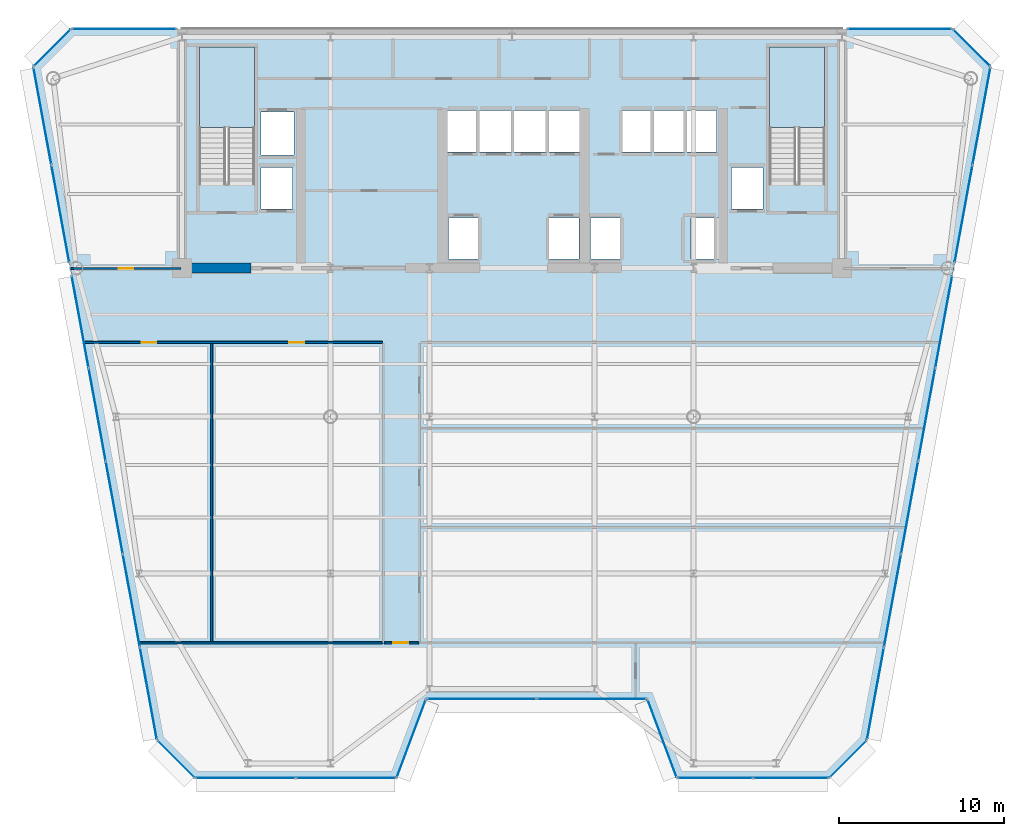
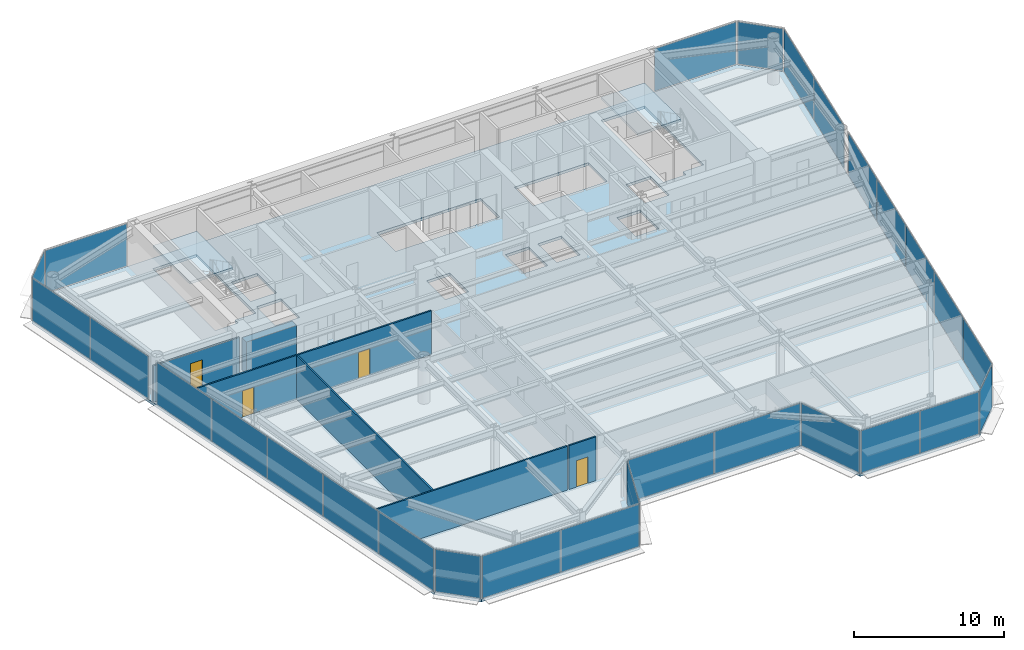
# One storey, part 9 of 16: 28 plates, 6 walls, 4 doors, 3 slabs, 4 openings, 17 elements without a shape of their own.
"""IFC4 building model written with IfcOpenShell, lengths in metres."""

from ifc_helpers import new_model, si_unit, direction, frame, frame_2d, origin, origin_2d, place, context, subcontext, project, spatial, polyline, rectangle, outline, extrude, source, transform, mapped, material, layer, layer_set, type_object, element, fill, aggregate, save


model = new_model("IFC4")

# Units and contexts
model_context = context("Model", 3, precision=1e-05, world=origin(), true_north=direction((0.0, 1.0)))
body_context = subcontext(model_context, "Body", "Model", "MODEL_VIEW")
ifc_project = project(units=[si_unit("LENGTHUNIT", "METRE"), si_unit("AREAUNIT", "SQUARE_METRE"), si_unit("VOLUMEUNIT", "CUBIC_METRE"), si_unit("PLANEANGLEUNIT", "RADIAN"), si_unit("MASSUNIT", "GRAM", prefix="KILO")], contexts=[model_context])

# Site, building, storey
site_placement = place(None, origin())
site = spatial("IfcSite", under=ifc_project, at=site_placement, CompositionType="ELEMENT")
building_placement = place(site_placement, origin())
building = spatial("IfcBuilding", under=site, at=building_placement, Name="Vaeldorn Concourse Tower", CompositionType="ELEMENT")
storey_placement = place(building_placement, frame((0.0, 0.0, 195.60009765625)))
storey = spatial("IfcBuildingStorey", under=building, at=storey_placement, Name="L50", CompositionType="ELEMENT", Elevation=195.60009765625)

# Stair, slab
ifc_material_1 = material(Name="Precast concrete C40/50", Category="concrete")
stair_type = type_object("IfcStairType", Name="STR-DOG-24x158", PredefinedType="HALF_TURN_STAIR", material=ifc_material_1)
stair_1_placement = place(storey_placement, origin())
stair_1 = element("IfcStair", 1, at=stair_1_placement, inside=storey, type_object=stair_type, Name="L50 West Core Exit Stair ST-1", PredefinedType="HALF_TURN_STAIR")
ifc_material_2 = material(Name="Concrete C40/50", Category="concrete")
ifc_layer_1 = layer(ifc_material_2, 0.199951171875)
ifc_layer_set_1 = layer_set([ifc_layer_1], Name="Concrete C40/50")
slab_type_1 = type_object("IfcSlabType", Name="SL-STAIR-LANDING", PredefinedType="LANDING", material=ifc_layer_set_1)
slab_1_placement = place(storey_placement, frame((0.0, 0.0, 1.699951171875)))
slab_1 = element("IfcSlab", 2, at=slab_1_placement, type_object=slab_type_1, Name="ST-1 landing 1", PredefinedType="LANDING", context=body_context, shape_type="SweptSolid", body=[
    extrude(outline(polyline([(18.39990234375, 45.010009765625), (18.39990234375, 49.89990234375), (15.050048828125, 49.89990234375), (15.050048828125, 45.010009765625), (18.39990234375, 45.010009765625)])), origin(), (0.0, 0.0, 1.0), 0.199951171875),
])
aggregate(stair_1, [slab_1])

stair_2_placement = place(storey_placement, origin())
stair_2 = element("IfcStair", 3, at=stair_2_placement, inside=storey, type_object=stair_type, Name="L50 East Core Exit Stair ST-2", PredefinedType="HALF_TURN_STAIR")
slab_2_placement = place(storey_placement, frame((0.0, 0.0, 1.699951171875)))
slab_2 = element("IfcSlab", 4, at=slab_2_placement, type_object=slab_type_1, Name="ST-2 landing 1", PredefinedType="LANDING", context=body_context, shape_type="SweptSolid", body=[
    extrude(outline(polyline([(52.949951171875, 45.010009765625), (52.949951171875, 49.89990234375), (49.60009765625, 49.89990234375), (49.60009765625, 45.010009765625), (52.949951171875, 45.010009765625)])), origin(), (0.0, 0.0, 1.0), 0.199951171875),
])
aggregate(stair_2, [slab_2])

# Slab
ifc_layer_2 = layer(ifc_material_2, 0.219970703125)
ifc_layer_set_2 = layer_set([ifc_layer_2], Name="Concrete C40/50")
slab_type_2 = type_object("IfcSlabType", Name="SL-TYP-220", PredefinedType="FLOOR", material=ifc_layer_set_2)
slab_3_placement = place(storey_placement, frame((0.0, 0.0, -0.22021484375)))
element("IfcSlab", 5, at=slab_3_placement, inside=storey, type_object=slab_type_2, Name="Structural Floor Slab L50", PredefinedType="FLOOR", context=body_context, shape_type="SweptSolid", body=[
    extrude(outline(polyline([(14.791015625, 5.60009765625), (27.0, 5.60009765625), (28.800048828125, 10.39990234375), (42.199951171875, 10.39990234375), (44.0, 5.60009765625), (53.208984375, 5.60009765625), (55.509033203125, 7.89990234375), (63.0, 48.699951171875), (60.699951171875, 51.0), (7.300048828125, 51.0), (5.0, 48.699951171875), (12.490966796875, 7.89990234375), (14.791015625, 5.60009765625)]), holes=[polyline([(18.39990234375, 42.0), (18.39990234375, 49.89990234375), (15.050048828125, 49.89990234375), (15.050048828125, 41.60009765625), (16.800048828125, 41.60009765625), (16.800048828125, 42.0), (18.39990234375, 42.0)]), polyline([(52.949951171875, 42.0), (52.949951171875, 49.89990234375), (49.60009765625, 49.89990234375), (49.60009765625, 41.60009765625), (51.35009765625, 41.60009765625), (51.35009765625, 42.0), (52.949951171875, 42.0)]), polyline([(30.14990234375, 37.050048828125), (31.949951171875, 37.050048828125), (31.949951171875, 39.550048828125), (30.14990234375, 39.550048828125), (30.14990234375, 37.050048828125)]), polyline([(36.25, 37.050048828125), (38.050048828125, 37.050048828125), (38.050048828125, 39.550048828125), (36.25, 39.550048828125), (36.25, 37.050048828125)]), polyline([(30.10009765625, 43.550048828125), (38.10009765625, 43.550048828125), (38.10009765625, 46.050048828125), (30.10009765625, 46.050048828125), (30.10009765625, 43.550048828125)]), polyline([(38.75, 37.050048828125), (40.550048828125, 37.050048828125), (40.550048828125, 39.550048828125), (38.75, 39.550048828125), (38.75, 37.050048828125)]), polyline([(44.85009765625, 37.050048828125), (46.64990234375, 37.050048828125), (46.64990234375, 39.550048828125), (44.85009765625, 39.550048828125), (44.85009765625, 37.050048828125)]), polyline([(40.699951171875, 43.550048828125), (46.39990234375, 43.550048828125), (46.39990234375, 46.050048828125), (40.699951171875, 46.050048828125), (40.699951171875, 43.550048828125)]), polyline([(18.800048828125, 43.35009765625), (20.800048828125, 43.35009765625), (20.800048828125, 45.949951171875), (18.800048828125, 45.949951171875), (18.800048828125, 43.35009765625)]), polyline([(18.800048828125, 40.10009765625), (20.699951171875, 40.10009765625), (20.699951171875, 42.60009765625), (18.800048828125, 42.60009765625), (18.800048828125, 40.10009765625)]), polyline([(47.300048828125, 40.10009765625), (49.199951171875, 40.10009765625), (49.199951171875, 42.60009765625), (47.300048828125, 42.60009765625), (47.300048828125, 40.10009765625)])]), origin(), (0.0, 0.0, 1.0), 0.22021484375),
])

# Curtain wall, plate
ifc_material_3 = material(Name="Anodised Bronze Aluminium", Category="aluminium")
ifc_layer_3 = layer(ifc_material_3, 0.18994140625)
ifc_layer_set_3 = layer_set([ifc_layer_3], Name="Anodised Bronze Aluminium")
curtain_wall_type = type_object("IfcCurtainWallType", Name="CW-SYS-03", PredefinedType="NOTDEFINED", material=ifc_layer_set_3)
curtain_wall_1_placement = place(storey_placement, origin())
curtain_wall_1 = element("IfcCurtainWall", 6, at=curtain_wall_1_placement, inside=storey, type_object=curtain_wall_type, Name="Unitised Curtain Wall CW-L50-E02-1", PredefinedType="NOTDEFINED")
ifc_material_4 = material(Name="Bronze Tinted Low-E Insulated Glass", Category="glass")
ifc_layer_4 = layer(ifc_material_4, 0.031982421875)
ifc_layer_set_4 = layer_set([ifc_layer_4], Name="Bronze Tinted Low-E Insulated Glass")
plate_type = type_object("IfcPlateType", Name="CWP-VISION-32", PredefinedType="CURTAIN_PANEL", material=ifc_layer_set_4)
shared_shape_1 = source(origin(), body_context, "Body", "SweptSolid", [
    extrude(rectangle(XDim=4.996337890625, YDim=0.031982421875, at=origin_2d()), origin(), (0.0, 0.0, 1.0), 3.449951171875),
])
plate_1_placement = place(storey_placement, frame((27.89990234375, 8.0, 0.06494140625), z_axis=(0.0, 0.0, 1.0), x_axis=(0.351123441595, 0.936329177566, 0.0)))
plate_1 = element("IfcPlate", 7, at=plate_1_placement, type_object=plate_type, Name="CW-03 panel 1.1", PredefinedType="CURTAIN_PANEL", context=body_context, shape_type="MappedRepresentation", body=[
    mapped(shared_shape_1, transform((0.0, 0.0, 0.0), scale=1.0)),
])
aggregate(curtain_wall_1, [plate_1])

curtain_wall_2_placement = place(storey_placement, origin())
curtain_wall_2 = element("IfcCurtainWall", 8, at=curtain_wall_2_placement, inside=storey, type_object=curtain_wall_type, Name="Unitised Curtain Wall CW-L50-E04-1", PredefinedType="NOTDEFINED")
plate_2_placement = place(storey_placement, frame((43.10009765625, 8.0, 0.06494140625), z_axis=(0.0, 0.0, 1.0), x_axis=(0.351123441595, -0.936329177566, 0.0)))
plate_2 = element("IfcPlate", 9, at=plate_2_placement, type_object=plate_type, Name="CW-03 panel 1.1", PredefinedType="CURTAIN_PANEL", context=body_context, shape_type="MappedRepresentation", body=[
    mapped(shared_shape_1, transform((0.0, 0.0, 0.0), scale=1.0)),
])
aggregate(curtain_wall_2, [plate_2])

# Curtain wall, plates
curtain_wall_3_placement = place(storey_placement, origin())
curtain_wall_3 = element("IfcCurtainWall", 10, at=curtain_wall_3_placement, inside=storey, type_object=curtain_wall_type, Name="Unitised Curtain Wall CW-L50-E03-1", PredefinedType="NOTDEFINED")
shared_shape_2 = source(origin(), body_context, "Body", "SweptSolid", [
    extrude(rectangle(XDim=6.6025390625, YDim=0.031982421875, at=origin_2d()), origin(), (0.0, 0.0, 1.0), 3.449951171875),
])
plate_3_placement = place(storey_placement, frame((32.166259765625, 10.39990234375, 0.06494140625), z_axis=(0.0, 0.0, 1.0), x_axis=(1.0, 0.0, 0.0)))
plate_3 = element("IfcPlate", 11, at=plate_3_placement, type_object=plate_type, Name="CW-03 panel 1.1", PredefinedType="CURTAIN_PANEL", context=body_context, shape_type="MappedRepresentation", body=[
    mapped(shared_shape_2, transform((0.0, 0.0, 0.0), scale=1.0)),
])
plate_4_placement = place(storey_placement, frame((38.833740234375, 10.39990234375, 0.06494140625), z_axis=(0.0, 0.0, 1.0), x_axis=(1.0, 0.0, 0.0)))
plate_4 = element("IfcPlate", 12, at=plate_4_placement, type_object=plate_type, Name="CW-03 panel 2.1", PredefinedType="CURTAIN_PANEL", context=body_context, shape_type="MappedRepresentation", body=[
    mapped(shared_shape_2, transform((0.0, 0.0, 0.0), scale=1.0)),
])
aggregate(curtain_wall_3, [plate_3, plate_4])

# Curtain wall, plate
curtain_wall_4_placement = place(storey_placement, origin())
curtain_wall_4 = element("IfcCurtainWall", 13, at=curtain_wall_4_placement, inside=storey, type_object=curtain_wall_type, Name="Unitised Curtain Wall CW-L50-E06-1", PredefinedType="NOTDEFINED")
shared_shape_3 = source(origin(), body_context, "Body", "SweptSolid", [
    extrude(rectangle(XDim=3.122802734375, YDim=0.031982421875, at=origin_2d()), origin(), (0.0, 0.0, 1.0), 3.449951171875),
])
plate_5_placement = place(storey_placement, frame((54.35888671875, 6.75, 0.06494140625), z_axis=(0.0, 0.0, 1.0), x_axis=(0.707106781187, 0.707106781187, 0.0)))
plate_5 = element("IfcPlate", 14, at=plate_5_placement, type_object=plate_type, Name="CW-03 panel 1.1", PredefinedType="CURTAIN_PANEL", context=body_context, shape_type="MappedRepresentation", body=[
    mapped(shared_shape_3, transform((0.0, 0.0, 0.0), scale=1.0)),
])
aggregate(curtain_wall_4, [plate_5])

curtain_wall_5_placement = place(storey_placement, origin())
curtain_wall_5 = element("IfcCurtainWall", 15, at=curtain_wall_5_placement, inside=storey, type_object=curtain_wall_type, Name="Unitised Curtain Wall CW-L50-E08-1", PredefinedType="NOTDEFINED")
plate_6_placement = place(storey_placement, frame((61.85009765625, 49.85009765625, 0.06494140625), z_axis=(0.0, 0.0, 1.0), x_axis=(-0.707106781187, 0.707106781187, 0.0)))
plate_6 = element("IfcPlate", 16, at=plate_6_placement, type_object=plate_type, Name="CW-03 panel 1.1", PredefinedType="CURTAIN_PANEL", context=body_context, shape_type="MappedRepresentation", body=[
    mapped(shared_shape_3, transform((0.0, 0.0, 0.0), scale=1.0)),
])
aggregate(curtain_wall_5, [plate_6])

curtain_wall_6_placement = place(storey_placement, origin())
curtain_wall_6 = element("IfcCurtainWall", 17, at=curtain_wall_6_placement, inside=storey, type_object=curtain_wall_type, Name="Unitised Curtain Wall CW-L50-E10-1", PredefinedType="NOTDEFINED")
plate_7_placement = place(storey_placement, frame((6.14990234375, 49.85009765625, 0.06494140625), z_axis=(0.0, 0.0, 1.0), x_axis=(-0.707106781187, -0.707106781187, 0.0)))
plate_7 = element("IfcPlate", 18, at=plate_7_placement, type_object=plate_type, Name="CW-03 panel 1.1", PredefinedType="CURTAIN_PANEL", context=body_context, shape_type="MappedRepresentation", body=[
    mapped(shared_shape_3, transform((0.0, 0.0, 0.0), scale=1.0)),
])
aggregate(curtain_wall_6, [plate_7])

curtain_wall_7_placement = place(storey_placement, origin())
curtain_wall_7 = element("IfcCurtainWall", 19, at=curtain_wall_7_placement, inside=storey, type_object=curtain_wall_type, Name="Unitised Curtain Wall CW-L50-E12-1", PredefinedType="NOTDEFINED")
plate_8_placement = place(storey_placement, frame((13.64111328125, 6.75, 0.06494140625), z_axis=(0.0, 0.0, 1.0), x_axis=(0.707106781187, -0.707106781187, 0.0)))
plate_8 = element("IfcPlate", 20, at=plate_8_placement, type_object=plate_type, Name="CW-03 panel 1.1", PredefinedType="CURTAIN_PANEL", context=body_context, shape_type="MappedRepresentation", body=[
    mapped(shared_shape_3, transform((0.0, 0.0, 0.0), scale=1.0)),
])
aggregate(curtain_wall_7, [plate_8])

curtain_wall_8_placement = place(storey_placement, origin())
curtain_wall_8 = element("IfcCurtainWall", 21, at=curtain_wall_8_placement, inside=storey, type_object=curtain_wall_type, Name="Unitised Curtain Wall CW-L50-E09-1", PredefinedType="NOTDEFINED")
shared_shape_4 = source(origin(), body_context, "Body", "SweptSolid", [
    extrude(rectangle(XDim=6.27490234375, YDim=0.031982421875, at=origin_2d()), origin(), (0.0, 0.0, 1.0), 3.449951171875),
])
plate_9_placement = place(storey_placement, frame((57.49755859375, 51.0, 0.06494140625), z_axis=(0.0, 0.0, 1.0), x_axis=(-1.0, 0.0, 0.0)))
plate_9 = element("IfcPlate", 22, at=plate_9_placement, type_object=plate_type, Name="CW-03 panel 1.1", PredefinedType="CURTAIN_PANEL", context=body_context, shape_type="MappedRepresentation", body=[
    mapped(shared_shape_4, transform((0.0, 0.0, 0.0), scale=1.0)),
])
aggregate(curtain_wall_8, [plate_9])

curtain_wall_9_placement = place(storey_placement, origin())
curtain_wall_9 = element("IfcCurtainWall", 23, at=curtain_wall_9_placement, inside=storey, type_object=curtain_wall_type, Name="Unitised Curtain Wall CW-L50-E09-2", PredefinedType="NOTDEFINED")
plate_10_placement = place(storey_placement, frame((10.50244140625, 51.0, 0.06494140625), z_axis=(0.0, 0.0, 1.0), x_axis=(-1.0, 0.0, 0.0)))
plate_10 = element("IfcPlate", 24, at=plate_10_placement, type_object=plate_type, Name="CW-03 panel 1.1", PredefinedType="CURTAIN_PANEL", context=body_context, shape_type="MappedRepresentation", body=[
    mapped(shared_shape_4, transform((0.0, 0.0, 0.0), scale=1.0)),
])
aggregate(curtain_wall_9, [plate_10])

# Curtain wall, plates
curtain_wall_10_placement = place(storey_placement, origin())
curtain_wall_10 = element("IfcCurtainWall", 25, at=curtain_wall_10_placement, inside=storey, type_object=curtain_wall_type, Name="Unitised Curtain Wall CW-L50-E07-1", PredefinedType="NOTDEFINED")
shared_shape_5 = source(origin(), body_context, "Body", "SweptSolid", [
    extrude(rectangle(XDim=5.63330078125, YDim=0.031982421875, at=origin_2d()), origin(), (0.0, 0.0, 1.0), 3.449951171875),
])
plate_11_placement = place(storey_placement, frame((56.029296875, 10.734375, 0.06494140625), z_axis=(0.0, 0.0, 1.0), x_axis=(0.180585309951, 0.983559325018, 0.0)))
plate_11 = element("IfcPlate", 26, at=plate_11_placement, type_object=plate_type, Name="CW-03 panel 1.1", PredefinedType="CURTAIN_PANEL", context=body_context, shape_type="MappedRepresentation", body=[
    mapped(shared_shape_5, transform((0.0, 0.0, 0.0), scale=1.0)),
])
plate_12_placement = place(storey_placement, frame((60.1630859375, 33.249267578125, 0.06494140625), z_axis=(0.0, 0.0, 1.0), x_axis=(0.180585309951, 0.983559325018, 0.0)))
plate_12 = element("IfcPlate", 27, at=plate_12_placement, type_object=plate_type, Name="CW-03 panel 5.1", PredefinedType="CURTAIN_PANEL", context=body_context, shape_type="MappedRepresentation", body=[
    mapped(shared_shape_5, transform((0.0, 0.0, 0.0), scale=1.0)),
])

curtain_wall_11_placement = place(storey_placement, origin())
curtain_wall_11 = element("IfcCurtainWall", 28, at=curtain_wall_11_placement, inside=storey, type_object=curtain_wall_type, Name="Unitised Curtain Wall CW-L50-E11-2", PredefinedType="NOTDEFINED")
plate_13_placement = place(storey_placement, frame((7.8369140625, 33.249267578125, 0.06494140625), z_axis=(0.0, 0.0, 1.0), x_axis=(0.180585309951, -0.983559325018, 0.0)))
plate_13 = element("IfcPlate", 29, at=plate_13_placement, type_object=plate_type, Name="CW-03 panel 1.1", PredefinedType="CURTAIN_PANEL", context=body_context, shape_type="MappedRepresentation", body=[
    mapped(shared_shape_5, transform((0.0, 0.0, 0.0), scale=1.0)),
])
plate_14_placement = place(storey_placement, frame((11.970703125, 10.734375, 0.06494140625), z_axis=(0.0, 0.0, 1.0), x_axis=(0.180585309951, -0.983559325018, 0.0)))
plate_14 = element("IfcPlate", 30, at=plate_14_placement, type_object=plate_type, Name="CW-03 panel 5.1", PredefinedType="CURTAIN_PANEL", context=body_context, shape_type="MappedRepresentation", body=[
    mapped(shared_shape_5, transform((0.0, 0.0, 0.0), scale=1.0)),
])

# Plate
shared_shape_6 = source(origin(), body_context, "Body", "SweptSolid", [
    extrude(rectangle(XDim=5.666015625, YDim=0.031982421875, at=origin_2d()), origin(), (0.0, 0.0, 1.0), 3.449951171875),
])
plate_15_placement = place(storey_placement, frame((57.061279296875, 16.35498046875, 0.06494140625), z_axis=(0.0, 0.0, 1.0), x_axis=(0.180585309951, 0.983559325018, 0.0)))
plate_15 = element("IfcPlate", 31, at=plate_15_placement, type_object=plate_type, Name="CW-03 panel 2.1", PredefinedType="CURTAIN_PANEL", context=body_context, shape_type="MappedRepresentation", body=[
    mapped(shared_shape_6, transform((0.0, 0.0, 0.0), scale=1.0)),
])

plate_16_placement = place(storey_placement, frame((58.09619140625, 21.99169921875, 0.06494140625), z_axis=(0.0, 0.0, 1.0), x_axis=(0.180585309951, 0.983559325018, 0.0)))
plate_16 = element("IfcPlate", 32, at=plate_16_placement, type_object=plate_type, Name="CW-03 panel 3.1", PredefinedType="CURTAIN_PANEL", context=body_context, shape_type="MappedRepresentation", body=[
    mapped(shared_shape_6, transform((0.0, 0.0, 0.0), scale=1.0)),
])

plate_17_placement = place(storey_placement, frame((59.131103515625, 27.62841796875, 0.06494140625), z_axis=(0.0, 0.0, 1.0), x_axis=(0.180585309951, 0.983559325018, 0.0)))
plate_17 = element("IfcPlate", 33, at=plate_17_placement, type_object=plate_type, Name="CW-03 panel 4.1", PredefinedType="CURTAIN_PANEL", context=body_context, shape_type="MappedRepresentation", body=[
    mapped(shared_shape_6, transform((0.0, 0.0, 0.0), scale=1.0)),
])

aggregate(curtain_wall_10, [plate_11, plate_15, plate_16, plate_17, plate_12])

plate_18_placement = place(storey_placement, frame((8.868896484375, 27.62841796875, 0.06494140625), z_axis=(0.0, 0.0, 1.0), x_axis=(0.180585309951, -0.983559325018, 0.0)))
plate_18 = element("IfcPlate", 34, at=plate_18_placement, type_object=plate_type, Name="CW-03 panel 2.1", PredefinedType="CURTAIN_PANEL", context=body_context, shape_type="MappedRepresentation", body=[
    mapped(shared_shape_6, transform((0.0, 0.0, 0.0), scale=1.0)),
])

plate_19_placement = place(storey_placement, frame((9.90380859375, 21.99169921875, 0.06494140625), z_axis=(0.0, 0.0, 1.0), x_axis=(0.180585309951, -0.983559325018, 0.0)))
plate_19 = element("IfcPlate", 35, at=plate_19_placement, type_object=plate_type, Name="CW-03 panel 3.1", PredefinedType="CURTAIN_PANEL", context=body_context, shape_type="MappedRepresentation", body=[
    mapped(shared_shape_6, transform((0.0, 0.0, 0.0), scale=1.0)),
])

plate_20_placement = place(storey_placement, frame((10.938720703125, 16.35498046875, 0.06494140625), z_axis=(0.0, 0.0, 1.0), x_axis=(0.180585309951, -0.983559325018, 0.0)))
plate_20 = element("IfcPlate", 36, at=plate_20_placement, type_object=plate_type, Name="CW-03 panel 4.1", PredefinedType="CURTAIN_PANEL", context=body_context, shape_type="MappedRepresentation", body=[
    mapped(shared_shape_6, transform((0.0, 0.0, 0.0), scale=1.0)),
])

aggregate(curtain_wall_11, [plate_13, plate_18, plate_19, plate_20, plate_14])

# Curtain wall, plates
curtain_wall_12_placement = place(storey_placement, origin())
curtain_wall_12 = element("IfcCurtainWall", 37, at=curtain_wall_12_placement, inside=storey, type_object=curtain_wall_type, Name="Unitised Curtain Wall CW-L50-E07-2", PredefinedType="NOTDEFINED")
shared_shape_7 = source(origin(), body_context, "Body", "SweptSolid", [
    extrude(rectangle(XDim=5.9482421875, YDim=0.031982421875, at=origin_2d()), origin(), (0.0, 0.0, 1.0), 3.449951171875),
])
plate_21_placement = place(storey_placement, frame((61.365234375, 39.796630859375, 0.06494140625), z_axis=(0.0, 0.0, 1.0), x_axis=(0.180584576845, 0.983559459619, 0.0)))
plate_21 = element("IfcPlate", 38, at=plate_21_placement, type_object=plate_type, Name="CW-03 panel 1.1", PredefinedType="CURTAIN_PANEL", context=body_context, shape_type="MappedRepresentation", body=[
    mapped(shared_shape_7, transform((0.0, 0.0, 0.0), scale=1.0)),
])
plate_22_placement = place(storey_placement, frame((62.451171875, 45.7109375, 0.06494140625), z_axis=(0.0, 0.0, 1.0), x_axis=(0.180584576845, 0.983559459619, 0.0)))
plate_22 = element("IfcPlate", 39, at=plate_22_placement, type_object=plate_type, Name="CW-03 panel 2.1", PredefinedType="CURTAIN_PANEL", context=body_context, shape_type="MappedRepresentation", body=[
    mapped(shared_shape_7, transform((0.0, 0.0, 0.0), scale=1.0)),
])
aggregate(curtain_wall_12, [plate_21, plate_22])

curtain_wall_13_placement = place(storey_placement, origin())
curtain_wall_13 = element("IfcCurtainWall", 40, at=curtain_wall_13_placement, inside=storey, type_object=curtain_wall_type, Name="Unitised Curtain Wall CW-L50-E11-1", PredefinedType="NOTDEFINED")
plate_23_placement = place(storey_placement, frame((5.548828125, 45.7109375, 0.06494140625), z_axis=(0.0, 0.0, 1.0), x_axis=(0.180584576845, -0.983559459619, 0.0)))
plate_23 = element("IfcPlate", 41, at=plate_23_placement, type_object=plate_type, Name="CW-03 panel 1.1", PredefinedType="CURTAIN_PANEL", context=body_context, shape_type="MappedRepresentation", body=[
    mapped(shared_shape_7, transform((0.0, 0.0, 0.0), scale=1.0)),
])
plate_24_placement = place(storey_placement, frame((6.634765625, 39.796630859375, 0.06494140625), z_axis=(0.0, 0.0, 1.0), x_axis=(0.180584576845, -0.983559459619, 0.0)))
plate_24 = element("IfcPlate", 42, at=plate_24_placement, type_object=plate_type, Name="CW-03 panel 2.1", PredefinedType="CURTAIN_PANEL", context=body_context, shape_type="MappedRepresentation", body=[
    mapped(shared_shape_7, transform((0.0, 0.0, 0.0), scale=1.0)),
])
aggregate(curtain_wall_13, [plate_23, plate_24])

curtain_wall_14_placement = place(storey_placement, origin())
curtain_wall_14 = element("IfcCurtainWall", 43, at=curtain_wall_14_placement, inside=storey, type_object=curtain_wall_type, Name="Unitised Curtain Wall CW-L50-E01-1", PredefinedType="NOTDEFINED")
shared_shape_8 = source(origin(), body_context, "Body", "SweptSolid", [
    extrude(rectangle(XDim=6.007080078125, YDim=0.031982421875, at=origin_2d()), origin(), (0.0, 0.0, 1.0), 3.449951171875),
])
plate_25_placement = place(storey_placement, frame((17.859619140625, 5.60009765625, 0.06494140625), z_axis=(0.0, 0.0, 1.0), x_axis=(1.0, 0.0, 0.0)))
plate_25 = element("IfcPlate", 44, at=plate_25_placement, type_object=plate_type, Name="CW-03 panel 1.1", PredefinedType="CURTAIN_PANEL", context=body_context, shape_type="MappedRepresentation", body=[
    mapped(shared_shape_8, transform((0.0, 0.0, 0.0), scale=1.0)),
])
plate_26_placement = place(storey_placement, frame((23.931396484375, 5.60009765625, 0.06494140625), z_axis=(0.0, 0.0, 1.0), x_axis=(1.0, 0.0, 0.0)))
plate_26 = element("IfcPlate", 45, at=plate_26_placement, type_object=plate_type, Name="CW-03 panel 2.1", PredefinedType="CURTAIN_PANEL", context=body_context, shape_type="MappedRepresentation", body=[
    mapped(shared_shape_8, transform((0.0, 0.0, 0.0), scale=1.0)),
])
aggregate(curtain_wall_14, [plate_25, plate_26])

curtain_wall_15_placement = place(storey_placement, origin())
curtain_wall_15 = element("IfcCurtainWall", 46, at=curtain_wall_15_placement, inside=storey, type_object=curtain_wall_type, Name="Unitised Curtain Wall CW-L50-E05-1", PredefinedType="NOTDEFINED")
shared_shape_9 = source(origin(), body_context, "Body", "SweptSolid", [
    extrude(rectangle(XDim=4.507080078125, YDim=0.031982421875, at=origin_2d()), origin(), (0.0, 0.0, 1.0), 3.449951171875),
])
plate_27_placement = place(storey_placement, frame((46.318603515625, 5.60009765625, 0.06494140625), z_axis=(0.0, 0.0, 1.0), x_axis=(1.0, 0.0, 0.0)))
plate_27 = element("IfcPlate", 47, at=plate_27_placement, type_object=plate_type, Name="CW-03 panel 1.1", PredefinedType="CURTAIN_PANEL", context=body_context, shape_type="MappedRepresentation", body=[
    mapped(shared_shape_9, transform((0.0, 0.0, 0.0), scale=1.0)),
])
plate_28_placement = place(storey_placement, frame((50.890380859375, 5.60009765625, 0.06494140625), z_axis=(0.0, 0.0, 1.0), x_axis=(1.0, 0.0, 0.0)))
plate_28 = element("IfcPlate", 48, at=plate_28_placement, type_object=plate_type, Name="CW-03 panel 2.1", PredefinedType="CURTAIN_PANEL", context=body_context, shape_type="MappedRepresentation", body=[
    mapped(shared_shape_9, transform((0.0, 0.0, 0.0), scale=1.0)),
])
aggregate(curtain_wall_15, [plate_27, plate_28])

# Wall
ifc_material_5 = material(Name="Concrete C50/60", Category="concrete")
ifc_layer_5 = layer(ifc_material_5, 0.60009765625)
ifc_layer_set_5 = layer_set([ifc_layer_5], Name="Concrete C50/60")
wall_type_1 = type_object("IfcWallType", Name="WL-CORE-600", PredefinedType="SHEAR", material=ifc_layer_set_5)
wall_1_placement = place(storey_placement, frame((14.320068359375, 36.5, 0.0), z_axis=(0.0, 0.0, 1.0), x_axis=(1.0, 0.0, 0.0)))
element("IfcWall", 49, at=wall_1_placement, inside=storey, type_object=wall_type_1, Name="Rear Core Shear Wall L50 S1", PredefinedType="SHEAR", context=body_context, shape_type="SweptSolid", body=[
    extrude(rectangle(XDim=3.8798828125, YDim=0.60009765625, at=frame_2d((1.93994140625, 0.0))), origin(), (0.0, 0.0, 1.0), 2.579833984375),
])

# Wall, openings, doors
ifc_material_6 = material(Name="Gypsum Board Partition", Category="gypsum")
ifc_layer_6 = layer(ifc_material_6, 0.1201171875)
ifc_layer_set_6 = layer_set([ifc_layer_6], Name="Gypsum Board Partition")
wall_type_2 = type_object("IfcWallType", Name="WL-PART-120", PredefinedType="PARTITIONING", material=ifc_layer_set_6)
wall_2_placement = place(storey_placement, frame((8.106201171875, 32.0, 0.0), z_axis=(0.0, 0.0, 1.0), x_axis=(1.0, 0.0, 0.0)))
wall_2 = element("IfcWall", 50, at=wall_2_placement, inside=storey, type_object=wall_type_2, Name="Interior Wall PW-L50-C2SW", PredefinedType="PARTITIONING", context=body_context, shape_type="SweptSolid", body=[
    extrude(rectangle(XDim=18.03369140625, YDim=0.1201171875, at=frame_2d((9.016845703125, 0.0))), origin(), (0.0, 0.0, 1.0), 3.579833984375),
])
opening_1_placement = place(wall_2_placement, frame((3.447021484375, 0.0, 0.0)))
opening_1 = element("IfcOpeningElement", 51, at=opening_1_placement, cuts=wall_2, Name="Opening D-03", PredefinedType="OPENING", context=body_context, shape_type="SweptSolid", body=[
    extrude(rectangle(XDim=0.89990234375, YDim=2.14990234375, at=frame_2d((0.449951171875, 1.074951171875))), frame((0.0, 0.070068359375, 0.0), z_axis=(0.0, -1.0, 0.0), x_axis=(1.0, 0.0, 0.0)), (0.0, 0.0, 1.0), 0.14013671875),
])
opening_2_placement = place(wall_2_placement, frame((12.39404296875, 0.0, 0.0)))
opening_2 = element("IfcOpeningElement", 52, at=opening_2_placement, cuts=wall_2, Name="Opening D-03", PredefinedType="OPENING", context=body_context, shape_type="SweptSolid", body=[
    extrude(rectangle(XDim=0.89990234375, YDim=2.14990234375, at=frame_2d((0.449951171875, 1.074951171875))), frame((0.0, 0.070068359375, 0.0), z_axis=(0.0, -1.0, 0.0), x_axis=(1.0, 0.0, 0.0)), (0.0, 0.0, 1.0), 0.14013671875),
])
ifc_material_7 = material(Name="Acoustic Bronze-Framed Glass Door", Category="glass")
door_type = type_object("IfcDoorType", Name="DR-INT-900", OperationType="NOTDEFINED", PredefinedType="DOOR", material=ifc_material_7)
shared_shape_10 = source(origin(), body_context, "Body", "SweptSolid", [
    extrude(rectangle(XDim=0.89990234375, YDim=2.14990234375, at=frame_2d((0.449951171875, 1.074951171875))), frame((0.0, 0.02490234375, 0.0), z_axis=(0.0, -1.0, 0.0), x_axis=(1.0, 0.0, 0.0)), (0.0, 0.0, 1.0), 0.050048828125),
])
door_1_placement = place(opening_1_placement, origin())
door_1 = element("IfcDoor", 53, at=door_1_placement, inside=storey, type_object=door_type, Name="Interior Door DR-L50-Z2W1", OperationType="SINGLE_SWING_LEFT", OverallHeight=2.14990234375, OverallWidth=0.89990234375, PredefinedType="DOOR", context=body_context, shape_type="MappedRepresentation", body=[
    mapped(shared_shape_10, transform((0.0, 0.0, 0.0), scale=1.0)),
])
fill(opening_1, door_1)
door_2_placement = place(opening_2_placement, origin())
door_2 = element("IfcDoor", 54, at=door_2_placement, inside=storey, type_object=door_type, Name="Interior Door DR-L50-Z2W2", OperationType="SINGLE_SWING_RIGHT", OverallHeight=2.14990234375, OverallWidth=0.89990234375, PredefinedType="DOOR", context=body_context, shape_type="MappedRepresentation", body=[
    mapped(shared_shape_10, transform((0.0, 0.0, 0.0), scale=1.0)),
])
fill(opening_2, door_2)

# Wall, opening, door
wall_3_placement = place(storey_placement, frame((26.260009765625, 13.800048828125, 0.0), z_axis=(0.0, 0.0, 1.0), x_axis=(1.0, 0.0, 0.0)))
wall_3 = element("IfcWall", 55, at=wall_3_placement, inside=storey, type_object=wall_type_2, Name="Interior Wall PW-L50-SP2S", PredefinedType="PARTITIONING", context=body_context, shape_type="SweptSolid", body=[
    extrude(rectangle(XDim=2.080078125, YDim=0.1201171875, at=frame_2d((1.0400390625, 0.0))), origin(), (0.0, 0.0, 1.0), 3.579833984375),
])
opening_3_placement = place(wall_3_placement, frame((0.550048828125, 0.0, 0.0)))
opening_3 = element("IfcOpeningElement", 56, at=opening_3_placement, cuts=wall_3, Name="Opening D-03", PredefinedType="OPENING", context=body_context, shape_type="SweptSolid", body=[
    extrude(rectangle(XDim=0.89990234375, YDim=2.14990234375, at=frame_2d((0.449951171875, 1.074951171875))), frame((0.0, 0.070068359375, 0.0), z_axis=(0.0, -1.0, 0.0), x_axis=(1.0, 0.0, 0.0)), (0.0, 0.0, 1.0), 0.14013671875),
])
door_3_placement = place(opening_3_placement, origin())
door_3 = element("IfcDoor", 57, at=door_3_placement, inside=storey, type_object=door_type, Name="Interior Door DR-L50-Z2SFM", OperationType="SINGLE_SWING_LEFT", OverallHeight=2.14990234375, OverallWidth=0.89990234375, PredefinedType="DOOR", context=body_context, shape_type="MappedRepresentation", body=[
    mapped(shared_shape_10, transform((0.0, 0.0, 0.0), scale=1.0)),
])
fill(opening_3, door_3)

wall_4_placement = place(storey_placement, frame((7.2890625, 36.47998046875, 0.0), z_axis=(0.0, 0.0, 1.0), x_axis=(1.0, 0.0, 0.0)))
wall_4 = element("IfcWall", 58, at=wall_4_placement, inside=storey, type_object=wall_type_2, Name="Interior Wall PW-L50-NWS", PredefinedType="PARTITIONING", context=body_context, shape_type="SweptSolid", body=[
    extrude(rectangle(XDim=6.65087890625, YDim=0.1201171875, at=frame_2d((3.325439453125, 0.0))), origin(), (0.0, 0.0, 1.0), 2.969970703125),
])
opening_4_placement = place(wall_4_placement, frame((2.875, 0.0, 0.0)))
opening_4 = element("IfcOpeningElement", 59, at=opening_4_placement, cuts=wall_4, Name="Opening D-03", PredefinedType="OPENING", context=body_context, shape_type="SweptSolid", body=[
    extrude(rectangle(XDim=0.89990234375, YDim=2.14990234375, at=frame_2d((0.449951171875, 1.074951171875))), frame((0.0, 0.070068359375, 0.0), z_axis=(0.0, -1.0, 0.0), x_axis=(1.0, 0.0, 0.0)), (0.0, 0.0, 1.0), 0.14013671875),
])
door_4_placement = place(opening_4_placement, origin())
door_4 = element("IfcDoor", 60, at=door_4_placement, inside=storey, type_object=door_type, Name="Interior Door DR-L50-NWC", OperationType="SINGLE_SWING_LEFT", OverallHeight=2.14990234375, OverallWidth=0.89990234375, PredefinedType="DOOR", context=body_context, shape_type="MappedRepresentation", body=[
    mapped(shared_shape_10, transform((0.0, 0.0, 0.0), scale=1.0)),
])
fill(opening_4, door_4)

# Walls
wall_5_placement = place(storey_placement, frame((11.44775390625, 13.800048828125, 0.0), z_axis=(0.0, 0.0, 1.0), x_axis=(1.0, 0.0, 0.0)))
element("IfcWall", 61, at=wall_5_placement, inside=storey, type_object=wall_type_2, Name="Interior Wall PW-L50-S2WL", PredefinedType="PARTITIONING", context=body_context, shape_type="SweptSolid", body=[
    extrude(rectangle(XDim=14.692138671875, YDim=0.1201171875, at=frame_2d((7.34619140625, 0.0))), origin(), (0.0, 0.0, 1.0), 3.579833984375),
])
wall_6_placement = place(storey_placement, frame((15.800048828125, 13.860107421875, 0.0), z_axis=(0.0, 0.0, 1.0), x_axis=(0.0, 1.0, 0.0)))
element("IfcWall", 62, at=wall_6_placement, inside=storey, type_object=wall_type_2, Name="Interior Wall PW-L50-Z2WX1", PredefinedType="PARTITIONING", context=body_context, shape_type="SweptSolid", body=[
    extrude(rectangle(XDim=18.079833984375, YDim=0.1201171875, at=frame_2d((9.0400390625, 0.0))), origin(), (0.0, 0.0, 1.0), 3.579833984375),
])

save(model, "model.ifc")
